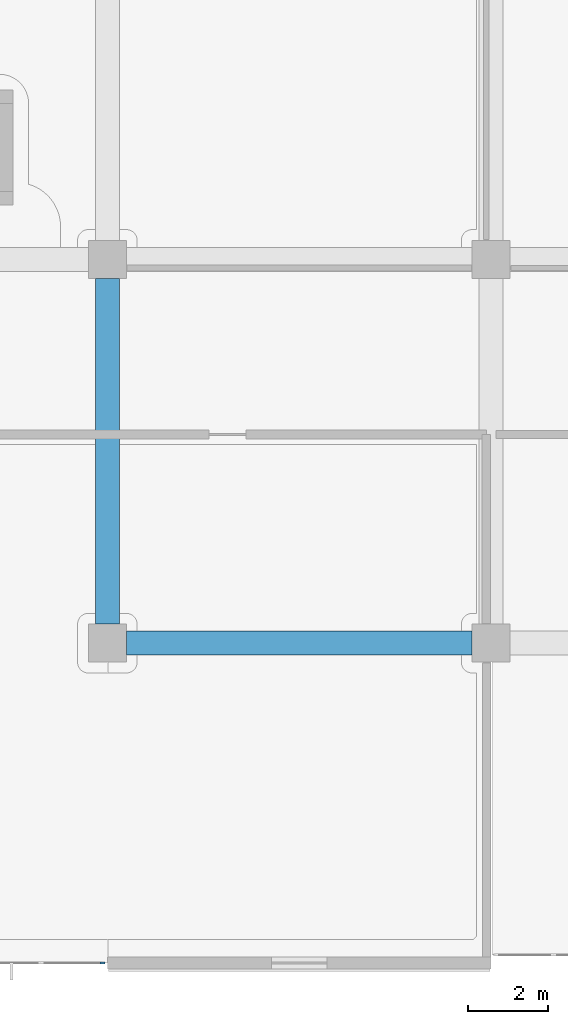
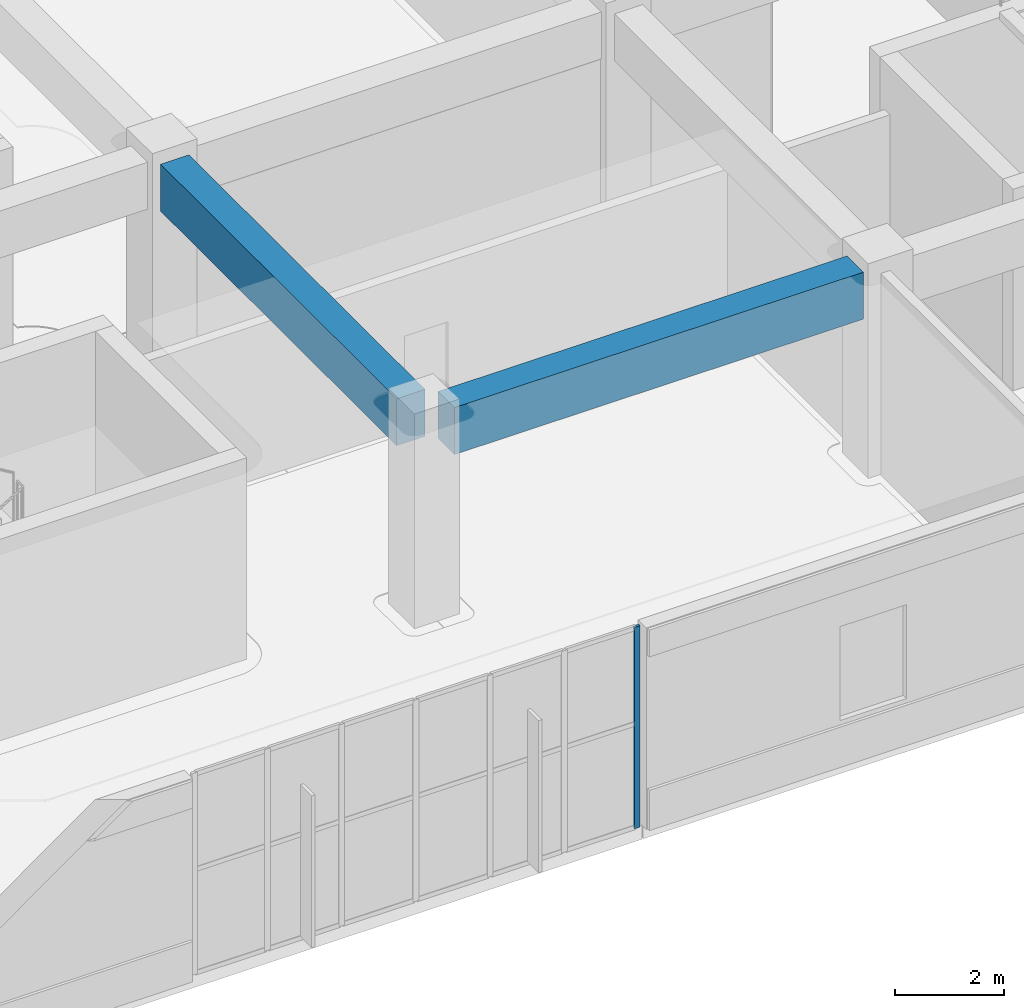
# One storey, part 9 of 86: 2 beams, 1 member, 1 element without a shape of its own.
"""IFC4 building model written with IfcOpenShell, lengths in metres."""

import ifcopenshell
import ifcopenshell.guid

model = None  # the IFC model being written
_history = None  # IfcOwnerHistory: only IFC2X3 demands one
_inside = {}  # id of a spatial element -> (the spatial element, [elements in it])
_under = {}  # id of a project, library or spatial element -> (it, [spatial elements below it])
_declared = {}  # id of a project -> (the project, [libraries it declares])
_typed = {}  # id of a type object -> (the type object, [elements of that type])
_made_of = {}  # id of a material, layer set ... -> (it, [elements and type objects made of it])


def new_model(schema):
    """Start an empty IFC model of exactly this schema.

    Asked for "IFC4X3", IfcOpenShell would pick the latest addendum, in which some entities
    have other attributes; the version numbers below select the first issue.
    IFC2X3 requires an IfcOwnerHistory on every rooted entity: one is made here for all.
    """
    global model, _history
    if schema == "IFC4X3":
        model = ifcopenshell.file(schema_version=(4, 3, 0, 0))
    else:
        model = ifcopenshell.file(schema=schema)
    _inside.clear()
    _under.clear()
    _declared.clear()
    _typed.clear()
    _made_of.clear()
    _history = None
    if model.schema == "IFC2X3":
        org = make("IfcOrganization", Name="unknown")
        user = make(
            "IfcPersonAndOrganization",
            ThePerson=make("IfcPerson", FamilyName="unknown"),
            TheOrganization=org,
        )
        app = make(
            "IfcApplication",
            ApplicationDeveloper=org,
            Version="unknown",
            ApplicationFullName="unknown",
            ApplicationIdentifier="unknown",
        )
        _history = make(
            "IfcOwnerHistory",
            OwningUser=user,
            OwningApplication=app,
            ChangeAction="ADDED",
            CreationDate=0,
        )
    return model


def make(cls, **values):
    """One entity of the class cls with the attributes given. An attribute that is None is left unset."""
    return model.create_entity(
        cls, **{name: value for name, value in values.items() if value is not None}
    )


def rooted(cls, **values):
    """An entity with a GlobalId (a new one), such as an element, a storey or a relation."""
    return make(cls, GlobalId=ifcopenshell.guid.new(), OwnerHistory=_history, **values)


def si_unit(unit_type, name, prefix=None):
    """IfcSIUnit, for example si_unit("LENGTHUNIT", "METRE", prefix="MILLI")."""
    return make("IfcSIUnit", UnitType=unit_type, Prefix=prefix, Name=name)


def assignment(units):
    """IfcUnitAssignment: the units of a project."""
    return None if units is None else make("IfcUnitAssignment", Units=units)


def point(xyz):
    """IfcCartesianPoint."""
    return None if xyz is None else make("IfcCartesianPoint", Coordinates=xyz)


def direction(xyz):
    """IfcDirection."""
    return None if xyz is None else make("IfcDirection", DirectionRatios=xyz)


def frame(location, z_axis=None, x_axis=None):
    """IfcAxis2Placement3D, a coordinate frame: its origin and axes. An axis left out is left unset."""
    return make(
        "IfcAxis2Placement3D",
        Location=point(location),
        Axis=direction(z_axis),
        RefDirection=direction(x_axis),
    )


def frame_2d(location, x_axis=None):
    """IfcAxis2Placement2D, a coordinate frame in the plane: its origin and x axis."""
    return make(
        "IfcAxis2Placement2D", Location=point(location), RefDirection=direction(x_axis)
    )


def origin():
    """The frame at (0, 0, 0) with its axes left unset."""
    return frame((0.0, 0.0, 0.0))


def origin_2d():
    """The frame at (0, 0) in the plane with its x axis left unset."""
    return frame_2d((0.0, 0.0))


def place(relative_to, where):
    """IfcLocalPlacement: puts the frame where relative to a parent placement (None: the world)."""
    return make(
        "IfcLocalPlacement", PlacementRelTo=relative_to, RelativePlacement=where
    )


def context(
    kind, dimensions, precision=None, world=None, true_north=None, identifier=None
):
    """IfcGeometricRepresentationContext, for example the 3D "Model" context."""
    return make(
        "IfcGeometricRepresentationContext",
        ContextIdentifier=identifier,
        ContextType=kind,
        CoordinateSpaceDimension=dimensions,
        Precision=precision,
        WorldCoordinateSystem=world,
        TrueNorth=true_north,
    )


def subcontext(parent, identifier, kind, view, scale=None):
    """IfcGeometricRepresentationSubContext, for example "Body" below "Model"."""
    return make(
        "IfcGeometricRepresentationSubContext",
        ContextIdentifier=identifier,
        ContextType=kind,
        ParentContext=parent,
        TargetScale=scale,
        TargetView=view,
    )


def project(units=None, contexts=None):
    """IfcProject with its units and contexts."""
    return rooted(
        "IfcProject",
        Name="project",
        RepresentationContexts=contexts,
        UnitsInContext=assignment(units),
    )


def spatial(cls, under=None, at=None, **own):
    """A site, building, storey or space (cls), placed at a placement, below another one or the project."""
    s = rooted(cls, ObjectPlacement=at, **own)
    if under is not None:
        _under.setdefault(under.id(), (under, []))[1].append(s)
    return s


def profile(cls, at=None, kind="AREA", **sizes):
    """A parametric profile (cls). Its sizes go by their IFC names, for example OverallWidth=200.0."""
    return make(cls, ProfileType=kind, Position=at, **sizes)


def rectangle(**sizes):
    """IfcRectangleProfileDef."""
    return profile("IfcRectangleProfileDef", **sizes)


def extrude(swept, where, along, depth):
    """IfcExtrudedAreaSolid: the profile swept, set in the frame where, extruded along a direction by depth."""
    return make(
        "IfcExtrudedAreaSolid",
        SweptArea=swept,
        Position=where,
        ExtrudedDirection=direction(along),
        Depth=depth,
    )


def shape(context_of_items, identifier, shape_type, items):
    """IfcShapeRepresentation: the items that make up one representation, for example the "Body"."""
    return make(
        "IfcShapeRepresentation",
        ContextOfItems=context_of_items,
        RepresentationIdentifier=identifier,
        RepresentationType=shape_type,
        Items=items,
    )


def material(Name=None, Category=None):
    """IfcMaterial."""
    return make("IfcMaterial", Name=Name, Category=Category)


def layer(
    of_material, thickness, ventilated=None, Name=None, Category=None, Priority=None
):
    """IfcMaterialLayer: one layer of a wall or slab, of a material (None: an air gap)."""
    return make(
        "IfcMaterialLayer",
        Material=of_material,
        LayerThickness=thickness,
        IsVentilated=ventilated,
        Name=Name,
        Category=Category,
        Priority=Priority,
    )


def layer_set(layers, Name=None):
    """IfcMaterialLayerSet."""
    return make("IfcMaterialLayerSet", MaterialLayers=layers, LayerSetName=Name)


def material_profile(
    of_material, cross_section, Name=None, Category=None, Priority=None
):
    """IfcMaterialProfile: a cross section and its material."""
    return make(
        "IfcMaterialProfile",
        Name=Name,
        Material=of_material,
        Profile=cross_section,
        Priority=Priority,
        Category=Category,
    )


def profile_set(profiles, Name=None, composite=None):
    """IfcMaterialProfileSet."""
    return make(
        "IfcMaterialProfileSet",
        Name=Name,
        MaterialProfiles=profiles,
        CompositeProfile=composite,
    )


def made_of(thing, what):
    """Note that an element or type object is made of a material, layer set ...; save() writes the relation."""
    if what is not None:
        _made_of.setdefault(what.id(), (what, []))[1].append(thing)
    return thing


def type_object(cls, material=None, **own):
    """A type object (cls), such as IfcWallType, which elements share."""
    return made_of(rooted(cls, **own), material)


def element(
    cls,
    number,
    at=None,
    inside=None,
    cuts=None,
    type_object=None,
    material=None,
    context=None,
    identifier="Body",
    shape_type=None,
    held_by="IfcProductDefinitionShape",
    body=None,
    shapes=None,
    **own,
):
    """One element of the class cls, such as IfcWall. Its Tag is "e" and its number.

    at: its placement. inside: the storey or other place that contains it. cuts: it is an
    opening in that element (IfcRelVoidsElement). A single representation is given by context,
    identifier, shape_type and body (its items); several are given by shapes. held_by: the class
    of the entity that holds the representations. save() writes the other relations.
    """
    e = rooted(cls, Tag="e%d" % number, ObjectPlacement=at, **own)
    if body is not None:
        shapes = [shape(context, identifier, shape_type, body)]
    if shapes is not None:
        e.Representation = make(held_by, Representations=shapes)
    if inside is not None:
        _inside.setdefault(inside.id(), (inside, []))[1].append(e)
    if cuts is not None:
        rooted(
            "IfcRelVoidsElement", RelatingBuildingElement=cuts, RelatedOpeningElement=e
        )
    if type_object is not None:
        _typed.setdefault(type_object.id(), (type_object, []))[1].append(e)
    return made_of(e, material)


def aggregate(whole, parts):
    """IfcRelAggregates: a whole, such as a stair, and the parts it consists of."""
    return rooted("IfcRelAggregates", RelatingObject=whole, RelatedObjects=parts)


def save(model, path):
    """Write the relations noted so far, then the file.

    IfcRelAggregates (storeys below a building ...), IfcRelContainedInSpatialStructure (elements
    in a storey), IfcRelDefinesByType, IfcRelAssociatesMaterial and IfcRelDeclares: one each for
    every whole, place, type object, material and project.
    """
    for whole, parts in _under.values():
        aggregate(whole, parts)
    for where, things in _inside.values():
        rooted(
            "IfcRelContainedInSpatialStructure",
            RelatedElements=things,
            RelatingStructure=where,
        )
    for kind, things in _typed.values():
        rooted("IfcRelDefinesByType", RelatedObjects=things, RelatingType=kind)
    for what, things in _made_of.values():
        rooted("IfcRelAssociatesMaterial", RelatedObjects=things, RelatingMaterial=what)
    for by, libraries in _declared.values():
        rooted("IfcRelDeclares", RelatingContext=by, RelatedDefinitions=libraries)
    model.write(path)


model = new_model("IFC4")

# Units and contexts
model_context = context("Model", 3, precision=1e-05, world=origin(), true_north=direction((0.0, 1.0)))
body_context = subcontext(model_context, "Body", "Model", "MODEL_VIEW")
ifc_project = project(units=[si_unit("LENGTHUNIT", "METRE"), si_unit("AREAUNIT", "SQUARE_METRE"), si_unit("VOLUMEUNIT", "CUBIC_METRE"), si_unit("PLANEANGLEUNIT", "RADIAN"), si_unit("MASSUNIT", "GRAM", prefix="KILO")], contexts=[model_context])

# Site, building, storey
site_placement = place(None, origin())
site = spatial("IfcSite", under=ifc_project, at=site_placement, CompositionType="ELEMENT")
building_placement = place(site_placement, origin())
building = spatial("IfcBuilding", under=site, at=building_placement, Name="Cendralis Terraced Arcade", CompositionType="ELEMENT")
storey_placement = place(building_placement, frame((0.0, 0.0, 5.39990234375)))
storey = spatial("IfcBuildingStorey", under=building, at=storey_placement, Name="L01", CompositionType="ELEMENT", Elevation=5.39990234375)

# Beams
ifc_material_1 = material(Name="Concrete f'c 35 MPa", Category="concrete")
ifc_material_profile_1 = material_profile(ifc_material_1, rectangle(XDim=0.60009765625, YDim=1.050048828125, at=origin_2d()), Name="RC-BM-600x1050", Category="LoadBearing")
ifc_profile_set_1 = profile_set([ifc_material_profile_1], Name="Concrete f'c 35 MPa")
beam_type = type_object("IfcBeamType", Name="BM-600x1050", PredefinedType="JOIST", material=ifc_profile_set_1)
for number, where, z_axis, x_axis, name in (
    (1, (58.074951171875, 9.60009765625, 3.97998046875), (1.0, 0.0, 0.0), (0.0, 1.0, 0.0), "Reinforced Concrete Frame Beam BM-X-L02-B-7_8"),
    (2, (57.60009765625, 10.074951171875, 3.97998046875), (0.0, 1.0, 0.0), (-1.0, 0.0, 0.0), "Reinforced Concrete Frame Beam BM-Y-L02-7-B_C"),
):
    element("IfcBeam", number, at=place(storey_placement, frame(where, z_axis=z_axis, x_axis=x_axis)), inside=storey, type_object=beam_type, Name=name, PredefinedType="JOIST", context=body_context, shape_type="SweptSolid", body=[
        extrude(rectangle(XDim=0.60009765625, YDim=1.050048828125, at=origin_2d()), origin(), (0.0, 0.0, 1.0), 8.650146484375),
    ])

# Curtain wall, member
ifc_material_2 = material(Name="Anodised aluminium EN AW-6063 T6", Category="aluminium")
ifc_layer = layer(ifc_material_2, 0.1201171875, Name="CW-STORE-B")
ifc_layer_set = layer_set([ifc_layer], Name="Anodised aluminium EN AW-6063 T6")
curtain_wall_type = type_object("IfcCurtainWallType", Name="CW-STORE-B", PredefinedType="USERDEFINED", material=ifc_layer_set)
curtain_wall_placement = place(storey_placement, origin())
curtain_wall = element("IfcCurtainWall", 3, at=curtain_wall_placement, inside=storey, type_object=curtain_wall_type, Name="Exterior Storefront Glazing CW-L01-0093", ObjectType="STOREFRONT GLAZING", PredefinedType="USERDEFINED")
ifc_material_profile_2 = material_profile(ifc_material_2, rectangle(XDim=0.054931640625, YDim=0.1201171875, at=origin_2d()), Name="ALU-MUL-55x120")
ifc_profile_set_2 = profile_set([ifc_material_profile_2], Name="Anodised aluminium EN AW-6063 T6")
member_type = type_object("IfcMemberType", Name="CW-STORE-B-MUL", PredefinedType="MULLION", material=ifc_profile_set_2)
member_placement = place(storey_placement, frame((57.482421875, 1.60009765625, 0.0), z_axis=(0.0, 0.0, 1.0), x_axis=(0.0, -1.0, 0.0)))
member = element("IfcMember", 4, at=member_placement, type_object=member_type, Name="CW-S2 mullion 1", PredefinedType="MULLION", context=body_context, shape_type="SweptSolid", body=[
    extrude(rectangle(XDim=0.054931640625, YDim=0.1201171875, at=origin_2d()), origin(), (0.0, 0.0, 1.0), 4.505126953125),
])
aggregate(curtain_wall, [member])

save(model, "model.ifc")
